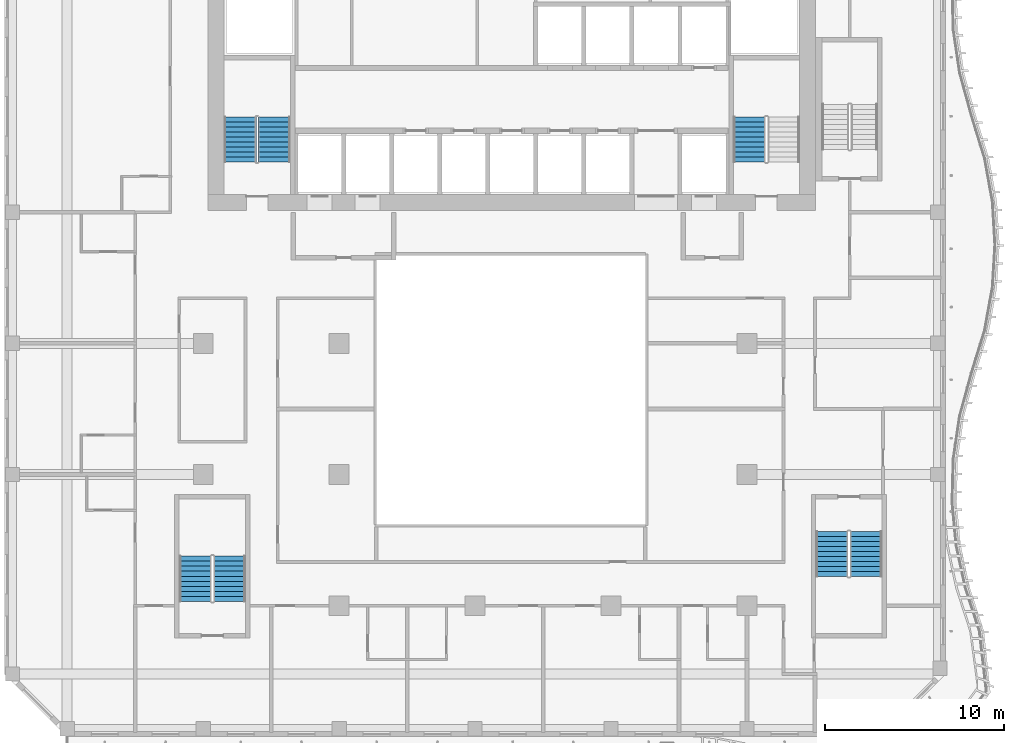
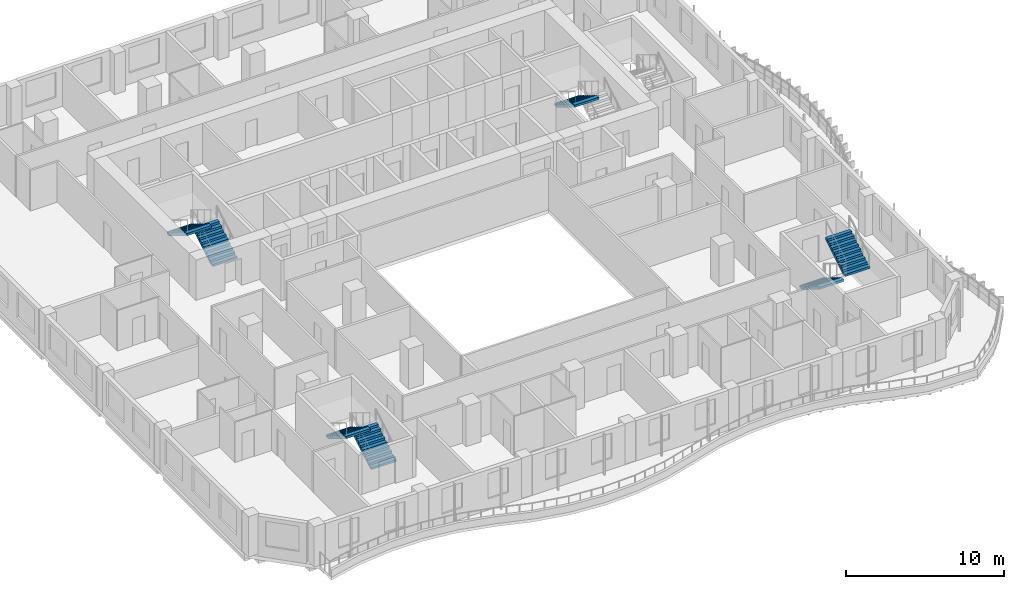
# One storey, part 11 of 22: 7 stair flights, 4 elements without a shape of their own.
"""IFC4 building model written with IfcOpenShell, lengths in metres."""

from ifc_helpers import new_model, si_unit, direction, frame, origin, place, context, subcontext, project, spatial, triangles, source, transform, mapped, material, type_object, element, aggregate, save


model = new_model("IFC4")

# Units and contexts
model_context = context("Model", 3, precision=1e-05, world=origin(), true_north=direction((0.0, 1.0)))
body_context = subcontext(model_context, "Body", "Model", "MODEL_VIEW")
ifc_project = project(units=[si_unit("LENGTHUNIT", "METRE"), si_unit("AREAUNIT", "SQUARE_METRE"), si_unit("VOLUMEUNIT", "CUBIC_METRE"), si_unit("PLANEANGLEUNIT", "RADIAN"), si_unit("MASSUNIT", "GRAM", prefix="KILO")], contexts=[model_context])

# Site, building, storey
site_placement = place(None, origin())
site = spatial("IfcSite", under=ifc_project, at=site_placement, CompositionType="ELEMENT")
building_placement = place(site_placement, origin())
building = spatial("IfcBuilding", under=site, at=building_placement, Name="Kilnfold Tower and Market Hall", CompositionType="ELEMENT")
storey_placement = place(building_placement, frame((0.0, 0.0, 154.10009765625)))
storey = spatial("IfcBuildingStorey", under=building, at=storey_placement, Name="L35", CompositionType="ELEMENT", Elevation=154.10009765625)

# Stair, stair flights
ifc_material_1 = material(Name="Concrete C40/50", Category="concrete")
stair_type = type_object("IfcStairType", Name="CORE STAIR 1800", PredefinedType="HALF_TURN_STAIR", material=ifc_material_1)
stair_1_placement = place(storey_placement, origin())
stair_1 = element("IfcStair", 1, at=stair_1_placement, inside=storey, type_object=stair_type, Name="L35 ST1", PredefinedType="HALF_TURN_STAIR")
ifc_material_2 = material(Name="Concrete C40/50", Category="concrete")
stair_flight_type = type_object("IfcStairFlightType", Name="CORE STAIR FLIGHT 1800", PredefinedType="STRAIGHT", material=ifc_material_2)
shared_shape = source(origin(), body_context, "Body", "Tessellation", [
    triangles([(0.0, 0.89990234375, 0.0), (0.0, 0.78759765625, 0.0), (0.0, 0.675048828125, 0.0), (0.0, 0.5625, 0.0), (0.0, 0.449951171875, 0.0), (0.0, 0.33740234375, 0.0), (0.0, 0.22509765625, 0.0), (0.0, 0.112548828125, 0.0), (0.0, 0.0, 0.0), (0.0, -0.112548828125, 0.0), (0.0, -0.22509765625, 0.0), (0.0, -0.33740234375, 0.0), (0.0, -0.449951171875, 0.0), (0.0, -0.5625, 0.0), (0.0, -0.675048828125, 0.0), (0.0, -0.78759765625, 0.0), (0.0, -0.89990234375, 0.0), (0.0, 0.89990234375, 0.169921875), (0.0, 0.78759765625, 0.169921875), (0.0, 0.675048828125, 0.169921875), (0.0, 0.5625, 0.169921875), (0.0, 0.449951171875, 0.169921875), (0.0, 0.33740234375, 0.169921875), (0.0, 0.22509765625, 0.169921875), (0.0, 0.112548828125, 0.169921875), (0.0, 0.0, 0.169921875), (0.0, -0.112548828125, 0.169921875), (0.0, -0.22509765625, 0.169921875), (0.0, -0.33740234375, 0.169921875), (0.0, -0.449951171875, 0.169921875), (0.0, -0.5625, 0.169921875), (0.0, -0.675048828125, 0.169921875), (0.0, -0.78759765625, 0.169921875), (0.0, -0.89990234375, 0.169921875), (0.280029296875, 0.89990234375, 0.169921875), (0.280029296875, 0.78759765625, 0.169921875), (0.280029296875, 0.675048828125, 0.169921875), (0.280029296875, 0.5625, 0.169921875), (0.280029296875, 0.449951171875, 0.169921875), (0.280029296875, 0.33740234375, 0.169921875), (0.280029296875, 0.22509765625, 0.169921875), (0.280029296875, 0.112548828125, 0.169921875), (0.280029296875, 0.0, 0.169921875), (0.280029296875, -0.112548828125, 0.169921875), (0.280029296875, -0.22509765625, 0.169921875), (0.280029296875, -0.33740234375, 0.169921875), (0.280029296875, -0.449951171875, 0.169921875), (0.280029296875, -0.5625, 0.169921875), (0.280029296875, -0.675048828125, 0.169921875), (0.280029296875, -0.78759765625, 0.169921875), (0.280029296875, -0.89990234375, 0.169921875), (0.280029296875, 0.89990234375, 0.340087890625), (0.280029296875, 0.78759765625, 0.340087890625), (0.280029296875, 0.675048828125, 0.340087890625), (0.280029296875, 0.5625, 0.340087890625), (0.280029296875, 0.449951171875, 0.340087890625), (0.280029296875, 0.33740234375, 0.340087890625), (0.280029296875, 0.22509765625, 0.340087890625), (0.280029296875, 0.112548828125, 0.340087890625), (0.280029296875, 0.0, 0.340087890625), (0.280029296875, -0.112548828125, 0.340087890625), (0.280029296875, -0.22509765625, 0.340087890625), (0.280029296875, -0.33740234375, 0.340087890625), (0.280029296875, -0.449951171875, 0.340087890625), (0.280029296875, -0.5625, 0.340087890625), (0.280029296875, -0.675048828125, 0.340087890625), (0.280029296875, -0.78759765625, 0.340087890625), (0.280029296875, -0.89990234375, 0.340087890625), (0.56005859375, 0.89990234375, 0.340087890625), (0.56005859375, 0.78759765625, 0.340087890625), (0.56005859375, 0.675048828125, 0.340087890625), (0.56005859375, 0.5625, 0.340087890625), (0.56005859375, 0.449951171875, 0.340087890625), (0.56005859375, 0.33740234375, 0.340087890625), (0.56005859375, 0.22509765625, 0.340087890625), (0.56005859375, 0.112548828125, 0.340087890625), (0.56005859375, 0.0, 0.340087890625), (0.56005859375, -0.112548828125, 0.340087890625), (0.56005859375, -0.22509765625, 0.340087890625), (0.56005859375, -0.33740234375, 0.340087890625), (0.56005859375, -0.449951171875, 0.340087890625), (0.56005859375, -0.5625, 0.340087890625), (0.56005859375, -0.675048828125, 0.340087890625), (0.56005859375, -0.78759765625, 0.340087890625), (0.56005859375, -0.89990234375, 0.340087890625), (0.56005859375, 0.89990234375, 0.510009765625), (0.56005859375, 0.78759765625, 0.510009765625), (0.56005859375, 0.675048828125, 0.510009765625), (0.56005859375, 0.5625, 0.510009765625), (0.56005859375, 0.449951171875, 0.510009765625), (0.56005859375, 0.33740234375, 0.510009765625), (0.56005859375, 0.22509765625, 0.510009765625), (0.56005859375, 0.112548828125, 0.510009765625), (0.56005859375, 0.0, 0.510009765625), (0.56005859375, -0.112548828125, 0.510009765625), (0.56005859375, -0.22509765625, 0.510009765625), (0.56005859375, -0.33740234375, 0.510009765625), (0.56005859375, -0.449951171875, 0.510009765625), (0.56005859375, -0.5625, 0.510009765625), (0.56005859375, -0.675048828125, 0.510009765625), (0.56005859375, -0.78759765625, 0.510009765625), (0.56005859375, -0.89990234375, 0.510009765625), (0.840087890625, 0.89990234375, 0.510009765625), (0.840087890625, 0.78759765625, 0.510009765625), (0.840087890625, 0.675048828125, 0.510009765625), (0.840087890625, 0.5625, 0.510009765625), (0.840087890625, 0.449951171875, 0.510009765625), (0.840087890625, 0.33740234375, 0.510009765625), (0.840087890625, 0.22509765625, 0.510009765625), (0.840087890625, 0.112548828125, 0.510009765625), (0.840087890625, 0.0, 0.510009765625), (0.840087890625, -0.112548828125, 0.510009765625), (0.840087890625, -0.22509765625, 0.510009765625), (0.840087890625, -0.33740234375, 0.510009765625), (0.840087890625, -0.449951171875, 0.510009765625), (0.840087890625, -0.5625, 0.510009765625), (0.840087890625, -0.675048828125, 0.510009765625), (0.840087890625, -0.78759765625, 0.510009765625), (0.840087890625, -0.89990234375, 0.510009765625), (0.840087890625, 0.89990234375, 0.679931640625), (0.840087890625, 0.78759765625, 0.679931640625), (0.840087890625, 0.675048828125, 0.679931640625), (0.840087890625, 0.5625, 0.679931640625), (0.840087890625, 0.449951171875, 0.679931640625), (0.840087890625, 0.33740234375, 0.679931640625), (0.840087890625, 0.22509765625, 0.679931640625), (0.840087890625, 0.112548828125, 0.679931640625), (0.840087890625, 0.0, 0.679931640625), (0.840087890625, -0.112548828125, 0.679931640625), (0.840087890625, -0.22509765625, 0.679931640625), (0.840087890625, -0.33740234375, 0.679931640625), (0.840087890625, -0.449951171875, 0.679931640625), (0.840087890625, -0.5625, 0.679931640625), (0.840087890625, -0.675048828125, 0.679931640625), (0.840087890625, -0.78759765625, 0.679931640625), (0.840087890625, -0.89990234375, 0.679931640625), (1.1201171875, 0.89990234375, 0.679931640625), (1.1201171875, 0.78759765625, 0.679931640625), (1.1201171875, 0.675048828125, 0.679931640625), (1.1201171875, 0.5625, 0.679931640625), (1.1201171875, 0.449951171875, 0.679931640625), (1.1201171875, 0.33740234375, 0.679931640625), (1.1201171875, 0.22509765625, 0.679931640625), (1.1201171875, 0.112548828125, 0.679931640625), (1.1201171875, 0.0, 0.679931640625), (1.1201171875, -0.112548828125, 0.679931640625), (1.1201171875, -0.22509765625, 0.679931640625), (1.1201171875, -0.33740234375, 0.679931640625), (1.1201171875, -0.449951171875, 0.679931640625), (1.1201171875, -0.5625, 0.679931640625), (1.1201171875, -0.675048828125, 0.679931640625), (1.1201171875, -0.78759765625, 0.679931640625), (1.1201171875, -0.89990234375, 0.679931640625), (1.1201171875, 0.89990234375, 0.85009765625), (1.1201171875, 0.78759765625, 0.85009765625), (1.1201171875, 0.675048828125, 0.85009765625), (1.1201171875, 0.5625, 0.85009765625), (1.1201171875, 0.449951171875, 0.85009765625), (1.1201171875, 0.33740234375, 0.85009765625), (1.1201171875, 0.22509765625, 0.85009765625), (1.1201171875, 0.112548828125, 0.85009765625), (1.1201171875, 0.0, 0.85009765625), (1.1201171875, -0.112548828125, 0.85009765625), (1.1201171875, -0.22509765625, 0.85009765625), (1.1201171875, -0.33740234375, 0.85009765625), (1.1201171875, -0.449951171875, 0.85009765625), (1.1201171875, -0.5625, 0.85009765625), (1.1201171875, -0.675048828125, 0.85009765625), (1.1201171875, -0.78759765625, 0.85009765625), (1.1201171875, -0.89990234375, 0.85009765625), (1.39990234375, 0.89990234375, 0.85009765625), (1.39990234375, 0.78759765625, 0.85009765625), (1.39990234375, 0.675048828125, 0.85009765625), (1.39990234375, 0.5625, 0.85009765625), (1.39990234375, 0.449951171875, 0.85009765625), (1.39990234375, 0.33740234375, 0.85009765625), (1.39990234375, 0.22509765625, 0.85009765625), (1.39990234375, 0.112548828125, 0.85009765625), (1.39990234375, 0.0, 0.85009765625), (1.39990234375, -0.112548828125, 0.85009765625), (1.39990234375, -0.22509765625, 0.85009765625), (1.39990234375, -0.33740234375, 0.85009765625), (1.39990234375, -0.449951171875, 0.85009765625), (1.39990234375, -0.5625, 0.85009765625), (1.39990234375, -0.675048828125, 0.85009765625), (1.39990234375, -0.78759765625, 0.85009765625), (1.39990234375, -0.89990234375, 0.85009765625), (1.39990234375, 0.89990234375, 1.02001953125), (1.39990234375, 0.78759765625, 1.02001953125), (1.39990234375, 0.675048828125, 1.02001953125), (1.39990234375, 0.5625, 1.02001953125), (1.39990234375, 0.449951171875, 1.02001953125), (1.39990234375, 0.33740234375, 1.02001953125), (1.39990234375, 0.22509765625, 1.02001953125), (1.39990234375, 0.112548828125, 1.02001953125), (1.39990234375, 0.0, 1.02001953125), (1.39990234375, -0.112548828125, 1.02001953125), (1.39990234375, -0.22509765625, 1.02001953125), (1.39990234375, -0.33740234375, 1.02001953125), (1.39990234375, -0.449951171875, 1.02001953125), (1.39990234375, -0.5625, 1.02001953125), (1.39990234375, -0.675048828125, 1.02001953125), (1.39990234375, -0.78759765625, 1.02001953125), (1.39990234375, -0.89990234375, 1.02001953125), (1.679931640625, 0.89990234375, 1.02001953125), (1.679931640625, 0.78759765625, 1.02001953125), (1.679931640625, 0.675048828125, 1.02001953125), (1.679931640625, 0.5625, 1.02001953125), (1.679931640625, 0.449951171875, 1.02001953125), (1.679931640625, 0.33740234375, 1.02001953125), (1.679931640625, 0.22509765625, 1.02001953125), (1.679931640625, 0.112548828125, 1.02001953125), (1.679931640625, 0.0, 1.02001953125), (1.679931640625, -0.112548828125, 1.02001953125), (1.679931640625, -0.22509765625, 1.02001953125), (1.679931640625, -0.33740234375, 1.02001953125), (1.679931640625, -0.449951171875, 1.02001953125), (1.679931640625, -0.5625, 1.02001953125), (1.679931640625, -0.675048828125, 1.02001953125), (1.679931640625, -0.78759765625, 1.02001953125), (1.679931640625, -0.89990234375, 1.02001953125), (1.679931640625, 0.89990234375, 1.18994140625), (1.679931640625, 0.78759765625, 1.18994140625), (1.679931640625, 0.675048828125, 1.18994140625), (1.679931640625, 0.5625, 1.18994140625), (1.679931640625, 0.449951171875, 1.18994140625), (1.679931640625, 0.33740234375, 1.18994140625), (1.679931640625, 0.22509765625, 1.18994140625), (1.679931640625, 0.112548828125, 1.18994140625), (1.679931640625, 0.0, 1.18994140625), (1.679931640625, -0.112548828125, 1.18994140625), (1.679931640625, -0.22509765625, 1.18994140625), (1.679931640625, -0.33740234375, 1.18994140625), (1.679931640625, -0.449951171875, 1.18994140625), (1.679931640625, -0.5625, 1.18994140625), (1.679931640625, -0.675048828125, 1.18994140625), (1.679931640625, -0.78759765625, 1.18994140625), (1.679931640625, -0.89990234375, 1.18994140625), (1.9599609375, 0.89990234375, 1.18994140625), (1.9599609375, 0.78759765625, 1.18994140625), (1.9599609375, 0.675048828125, 1.18994140625), (1.9599609375, 0.5625, 1.18994140625), (1.9599609375, 0.449951171875, 1.18994140625), (1.9599609375, 0.33740234375, 1.18994140625), (1.9599609375, 0.22509765625, 1.18994140625), (1.9599609375, 0.112548828125, 1.18994140625), (1.9599609375, 0.0, 1.18994140625), (1.9599609375, -0.112548828125, 1.18994140625), (1.9599609375, -0.22509765625, 1.18994140625), (1.9599609375, -0.33740234375, 1.18994140625), (1.9599609375, -0.449951171875, 1.18994140625), (1.9599609375, -0.5625, 1.18994140625), (1.9599609375, -0.675048828125, 1.18994140625), (1.9599609375, -0.78759765625, 1.18994140625), (1.9599609375, -0.89990234375, 1.18994140625), (1.9599609375, 0.89990234375, 1.360107421875), (1.9599609375, 0.78759765625, 1.360107421875), (1.9599609375, 0.675048828125, 1.360107421875), (1.9599609375, 0.5625, 1.360107421875), (1.9599609375, 0.449951171875, 1.360107421875), (1.9599609375, 0.33740234375, 1.360107421875), (1.9599609375, 0.22509765625, 1.360107421875), (1.9599609375, 0.112548828125, 1.360107421875), (1.9599609375, 0.0, 1.360107421875), (1.9599609375, -0.112548828125, 1.360107421875), (1.9599609375, -0.22509765625, 1.360107421875), (1.9599609375, -0.33740234375, 1.360107421875), (1.9599609375, -0.449951171875, 1.360107421875), (1.9599609375, -0.5625, 1.360107421875), (1.9599609375, -0.675048828125, 1.360107421875), (1.9599609375, -0.78759765625, 1.360107421875), (1.9599609375, -0.89990234375, 1.360107421875), (2.239990234375, 0.89990234375, 1.360107421875), (2.239990234375, 0.78759765625, 1.360107421875), (2.239990234375, 0.675048828125, 1.360107421875), (2.239990234375, 0.5625, 1.360107421875), (2.239990234375, 0.449951171875, 1.360107421875), (2.239990234375, 0.33740234375, 1.360107421875), (2.239990234375, 0.22509765625, 1.360107421875), (2.239990234375, 0.112548828125, 1.360107421875), (2.239990234375, 0.0, 1.360107421875), (2.239990234375, -0.112548828125, 1.360107421875), (2.239990234375, -0.22509765625, 1.360107421875), (2.239990234375, -0.33740234375, 1.360107421875), (2.239990234375, -0.449951171875, 1.360107421875), (2.239990234375, -0.5625, 1.360107421875), (2.239990234375, -0.675048828125, 1.360107421875), (2.239990234375, -0.78759765625, 1.360107421875), (2.239990234375, -0.89990234375, 1.360107421875), (2.239990234375, 0.89990234375, 1.530029296875), (2.239990234375, 0.78759765625, 1.530029296875), (2.239990234375, 0.675048828125, 1.530029296875), (2.239990234375, 0.5625, 1.530029296875), (2.239990234375, 0.449951171875, 1.530029296875), (2.239990234375, 0.33740234375, 1.530029296875), (2.239990234375, 0.22509765625, 1.530029296875), (2.239990234375, 0.112548828125, 1.530029296875), (2.239990234375, 0.0, 1.530029296875), (2.239990234375, -0.112548828125, 1.530029296875), (2.239990234375, -0.22509765625, 1.530029296875), (2.239990234375, -0.33740234375, 1.530029296875), (2.239990234375, -0.449951171875, 1.530029296875), (2.239990234375, -0.5625, 1.530029296875), (2.239990234375, -0.675048828125, 1.530029296875), (2.239990234375, -0.78759765625, 1.530029296875), (2.239990234375, -0.89990234375, 1.530029296875), (2.52001953125, 0.89990234375, 1.530029296875), (2.52001953125, 0.78759765625, 1.530029296875), (2.52001953125, 0.675048828125, 1.530029296875), (2.52001953125, 0.5625, 1.530029296875), (2.52001953125, 0.449951171875, 1.530029296875), (2.52001953125, 0.33740234375, 1.530029296875), (2.52001953125, 0.22509765625, 1.530029296875), (2.52001953125, 0.112548828125, 1.530029296875), (2.52001953125, 0.0, 1.530029296875), (2.52001953125, -0.112548828125, 1.530029296875), (2.52001953125, -0.22509765625, 1.530029296875), (2.52001953125, -0.33740234375, 1.530029296875), (2.52001953125, -0.449951171875, 1.530029296875), (2.52001953125, -0.5625, 1.530029296875), (2.52001953125, -0.675048828125, 1.530029296875), (2.52001953125, -0.78759765625, 1.530029296875), (2.52001953125, -0.89990234375, 1.530029296875), (2.52001953125, 0.89990234375, 1.354736328125), (2.52001953125, 0.78759765625, 1.354736328125), (2.52001953125, 0.675048828125, 1.354736328125), (2.52001953125, 0.5625, 1.354736328125), (2.52001953125, 0.449951171875, 1.354736328125), (2.52001953125, 0.33740234375, 1.354736328125), (2.52001953125, 0.22509765625, 1.354736328125), (2.52001953125, 0.112548828125, 1.354736328125), (2.52001953125, 0.0, 1.354736328125), (2.52001953125, -0.112548828125, 1.354736328125), (2.52001953125, -0.22509765625, 1.354736328125), (2.52001953125, -0.33740234375, 1.354736328125), (2.52001953125, -0.449951171875, 1.354736328125), (2.52001953125, -0.5625, 1.354736328125), (2.52001953125, -0.675048828125, 1.354736328125), (2.52001953125, -0.78759765625, 1.354736328125), (2.52001953125, -0.89990234375, 1.354736328125), (0.288818359375, 0.89990234375, 0.0), (0.288818359375, 0.78759765625, 0.0), (0.288818359375, 0.675048828125, 0.0), (0.288818359375, 0.5625, 0.0), (0.288818359375, 0.449951171875, 0.0), (0.288818359375, 0.33740234375, 0.0), (0.288818359375, 0.22509765625, 0.0), (0.288818359375, 0.112548828125, 0.0), (0.288818359375, 0.0, 0.0), (0.288818359375, -0.112548828125, 0.0), (0.288818359375, -0.22509765625, 0.0), (0.288818359375, -0.33740234375, 0.0), (0.288818359375, -0.449951171875, 0.0), (0.288818359375, -0.5625, 0.0), (0.288818359375, -0.675048828125, 0.0), (0.288818359375, -0.78759765625, 0.0), (0.288818359375, -0.89990234375, 0.0)], [[1, 324, 341], [17, 357, 340], [324, 290, 307], [340, 323, 306], [324, 273, 290], [340, 306, 289], [324, 256, 273], [340, 289, 272], [324, 239, 256], [340, 272, 255], [239, 205, 222], [255, 238, 221], [324, 205, 239], [340, 255, 221], [205, 171, 188], [221, 204, 187], [324, 171, 205], [340, 221, 187], [171, 137, 154], [187, 170, 153], [324, 137, 171], [340, 187, 153], [137, 103, 120], [153, 136, 119], [324, 103, 137], [340, 153, 119], [103, 69, 86], [119, 102, 85], [324, 69, 103], [340, 119, 85], [69, 35, 52], [85, 68, 51], [324, 35, 69], [340, 85, 51], [1, 35, 324], [17, 340, 51], [35, 1, 18], [51, 34, 17], [1, 19, 18], [1, 2, 19], [2, 20, 19], [2, 3, 20], [3, 21, 20], [3, 4, 21], [4, 22, 21], [4, 5, 22], [5, 23, 22], [5, 6, 23], [6, 24, 23], [6, 7, 24], [7, 25, 24], [7, 8, 25], [8, 26, 25], [8, 9, 26], [9, 27, 26], [9, 10, 27], [10, 28, 27], [10, 11, 28], [11, 29, 28], [11, 12, 29], [12, 30, 29], [12, 13, 30], [13, 31, 30], [13, 14, 31], [14, 32, 31], [14, 15, 32], [15, 33, 32], [15, 16, 33], [16, 34, 33], [16, 17, 34], [18, 36, 35], [18, 19, 36], [19, 37, 36], [19, 20, 37], [20, 38, 37], [20, 21, 38], [21, 39, 38], [21, 22, 39], [22, 40, 39], [22, 23, 40], [23, 41, 40], [23, 24, 41], [24, 42, 41], [24, 25, 42], [25, 43, 42], [25, 26, 43], [26, 44, 43], [26, 27, 44], [27, 45, 44], [27, 28, 45], [28, 46, 45], [28, 29, 46], [29, 47, 46], [29, 30, 47], [30, 48, 47], [30, 31, 48], [31, 49, 48], [31, 32, 49], [32, 50, 49], [32, 33, 50], [33, 51, 50], [33, 34, 51], [35, 53, 52], [35, 36, 53], [36, 54, 53], [36, 37, 54], [37, 55, 54], [37, 38, 55], [38, 56, 55], [38, 39, 56], [39, 57, 56], [39, 40, 57], [40, 58, 57], [40, 41, 58], [41, 59, 58], [41, 42, 59], [42, 60, 59], [42, 43, 60], [43, 61, 60], [43, 44, 61], [44, 62, 61], [44, 45, 62], [45, 63, 62], [45, 46, 63], [46, 64, 63], [46, 47, 64], [47, 65, 64], [47, 48, 65], [48, 66, 65], [48, 49, 66], [49, 67, 66], [49, 50, 67], [50, 68, 67], [50, 51, 68], [52, 70, 69], [52, 53, 70], [53, 71, 70], [53, 54, 71], [54, 72, 71], [54, 55, 72], [55, 73, 72], [55, 56, 73], [56, 74, 73], [56, 57, 74], [57, 75, 74], [57, 58, 75], [58, 76, 75], [58, 59, 76], [59, 77, 76], [59, 60, 77], [60, 78, 77], [60, 61, 78], [61, 79, 78], [61, 62, 79], [62, 80, 79], [62, 63, 80], [63, 81, 80], [63, 64, 81], [64, 82, 81], [64, 65, 82], [65, 83, 82], [65, 66, 83], [66, 84, 83], [66, 67, 84], [67, 85, 84], [67, 68, 85], [69, 87, 86], [69, 70, 87], [70, 88, 87], [70, 71, 88], [71, 89, 88], [71, 72, 89], [72, 90, 89], [72, 73, 90], [73, 91, 90], [73, 74, 91], [74, 92, 91], [74, 75, 92], [75, 93, 92], [75, 76, 93], [76, 94, 93], [76, 77, 94], [77, 95, 94], [77, 78, 95], [78, 96, 95], [78, 79, 96], [79, 97, 96], [79, 80, 97], [80, 98, 97], [80, 81, 98], [81, 99, 98], [81, 82, 99], [82, 100, 99], [82, 83, 100], [83, 101, 100], [83, 84, 101], [84, 102, 101], [84, 85, 102], [86, 104, 103], [86, 87, 104], [87, 105, 104], [87, 88, 105], [88, 106, 105], [88, 89, 106], [89, 107, 106], [89, 90, 107], [90, 108, 107], [90, 91, 108], [91, 109, 108], [91, 92, 109], [92, 110, 109], [92, 93, 110], [93, 111, 110], [93, 94, 111], [94, 112, 111], [94, 95, 112], [95, 113, 112], [95, 96, 113], [96, 114, 113], [96, 97, 114], [97, 115, 114], [97, 98, 115], [98, 116, 115], [98, 99, 116], [99, 117, 116], [99, 100, 117], [100, 118, 117], [100, 101, 118], [101, 119, 118], [101, 102, 119], [103, 121, 120], [103, 104, 121], [104, 122, 121], [104, 105, 122], [105, 123, 122], [105, 106, 123], [106, 124, 123], [106, 107, 124], [107, 125, 124], [107, 108, 125], [108, 126, 125], [108, 109, 126], [109, 127, 126], [109, 110, 127], [110, 128, 127], [110, 111, 128], [111, 129, 128], [111, 112, 129], [112, 130, 129], [112, 113, 130], [113, 131, 130], [113, 114, 131], [114, 132, 131], [114, 115, 132], [115, 133, 132], [115, 116, 133], [116, 134, 133], [116, 117, 134], [117, 135, 134], [117, 118, 135], [118, 136, 135], [118, 119, 136], [120, 138, 137], [120, 121, 138], [121, 139, 138], [121, 122, 139], [122, 140, 139], [122, 123, 140], [123, 141, 140], [123, 124, 141], [124, 142, 141], [124, 125, 142], [125, 143, 142], [125, 126, 143], [126, 144, 143], [126, 127, 144], [127, 145, 144], [127, 128, 145], [128, 146, 145], [128, 129, 146], [129, 147, 146], [129, 130, 147], [130, 148, 147], [130, 131, 148], [131, 149, 148], [131, 132, 149], [132, 150, 149], [132, 133, 150], [133, 151, 150], [133, 134, 151], [134, 152, 151], [134, 135, 152], [135, 153, 152], [135, 136, 153], [137, 155, 154], [137, 138, 155], [138, 156, 155], [138, 139, 156], [139, 157, 156], [139, 140, 157], [140, 158, 157], [140, 141, 158], [141, 159, 158], [141, 142, 159], [142, 160, 159], [142, 143, 160], [143, 161, 160], [143, 144, 161], [144, 162, 161], [144, 145, 162], [145, 163, 162], [145, 146, 163], [146, 164, 163], [146, 147, 164], [147, 165, 164], [147, 148, 165], [148, 166, 165], [148, 149, 166], [149, 167, 166], [149, 150, 167], [150, 168, 167], [150, 151, 168], [151, 169, 168], [151, 152, 169], [152, 170, 169], [152, 153, 170], [154, 172, 171], [154, 155, 172], [155, 173, 172], [155, 156, 173], [156, 174, 173], [156, 157, 174], [157, 175, 174], [157, 158, 175], [158, 176, 175], [158, 159, 176], [159, 177, 176], [159, 160, 177], [160, 178, 177], [160, 161, 178], [161, 179, 178], [161, 162, 179], [162, 180, 179], [162, 163, 180], [163, 181, 180], [163, 164, 181], [164, 182, 181], [164, 165, 182], [165, 183, 182], [165, 166, 183], [166, 184, 183], [166, 167, 184], [167, 185, 184], [167, 168, 185], [168, 186, 185], [168, 169, 186], [169, 187, 186], [169, 170, 187], [171, 189, 188], [171, 172, 189], [172, 190, 189], [172, 173, 190], [173, 191, 190], [173, 174, 191], [174, 192, 191], [174, 175, 192], [175, 193, 192], [175, 176, 193], [176, 194, 193], [176, 177, 194], [177, 195, 194], [177, 178, 195], [178, 196, 195], [178, 179, 196], [179, 197, 196], [179, 180, 197], [180, 198, 197], [180, 181, 198], [181, 199, 198], [181, 182, 199], [182, 200, 199], [182, 183, 200], [183, 201, 200], [183, 184, 201], [184, 202, 201], [184, 185, 202], [185, 203, 202], [185, 186, 203], [186, 204, 203], [186, 187, 204], [188, 206, 205], [188, 189, 206], [189, 207, 206], [189, 190, 207], [190, 208, 207], [190, 191, 208], [191, 209, 208], [191, 192, 209], [192, 210, 209], [192, 193, 210], [193, 211, 210], [193, 194, 211], [194, 212, 211], [194, 195, 212], [195, 213, 212], [195, 196, 213], [196, 214, 213], [196, 197, 214], [197, 215, 214], [197, 198, 215], [198, 216, 215], [198, 199, 216], [199, 217, 216], [199, 200, 217], [200, 218, 217], [200, 201, 218], [201, 219, 218], [201, 202, 219], [202, 220, 219], [202, 203, 220], [203, 221, 220], [203, 204, 221], [205, 223, 222], [205, 206, 223], [206, 224, 223], [206, 207, 224], [207, 225, 224], [207, 208, 225], [208, 226, 225], [208, 209, 226], [209, 227, 226], [209, 210, 227], [210, 228, 227], [210, 211, 228], [211, 229, 228], [211, 212, 229], [212, 230, 229], [212, 213, 230], [213, 231, 230], [213, 214, 231], [214, 232, 231], [214, 215, 232], [215, 233, 232], [215, 216, 233], [216, 234, 233], [216, 217, 234], [217, 235, 234], [217, 218, 235], [218, 236, 235], [218, 219, 236], [219, 237, 236], [219, 220, 237], [220, 238, 237], [220, 221, 238], [222, 240, 239], [222, 223, 240], [223, 241, 240], [223, 224, 241], [224, 242, 241], [224, 225, 242], [225, 243, 242], [225, 226, 243], [226, 244, 243], [226, 227, 244], [227, 245, 244], [227, 228, 245], [228, 246, 245], [228, 229, 246], [229, 247, 246], [229, 230, 247], [230, 248, 247], [230, 231, 248], [231, 249, 248], [231, 232, 249], [232, 250, 249], [232, 233, 250], [233, 251, 250], [233, 234, 251], [234, 252, 251], [234, 235, 252], [235, 253, 252], [235, 236, 253], [236, 254, 253], [236, 237, 254], [237, 255, 254], [237, 238, 255], [239, 257, 256], [239, 240, 257], [240, 258, 257], [240, 241, 258], [241, 259, 258], [241, 242, 259], [242, 260, 259], [242, 243, 260], [243, 261, 260], [243, 244, 261], [244, 262, 261], [244, 245, 262], [245, 263, 262], [245, 246, 263], [246, 264, 263], [246, 247, 264], [247, 265, 264], [247, 248, 265], [248, 266, 265], [248, 249, 266], [249, 267, 266], [249, 250, 267], [250, 268, 267], [250, 251, 268], [251, 269, 268], [251, 252, 269], [252, 270, 269], [252, 253, 270], [253, 271, 270], [253, 254, 271], [254, 272, 271], [254, 255, 272], [256, 274, 273], [256, 257, 274], [257, 275, 274], [257, 258, 275], [258, 276, 275], [258, 259, 276], [259, 277, 276], [259, 260, 277], [260, 278, 277], [260, 261, 278], [261, 279, 278], [261, 262, 279], [262, 280, 279], [262, 263, 280], [263, 281, 280], [263, 264, 281], [264, 282, 281], [264, 265, 282], [265, 283, 282], [265, 266, 283], [266, 284, 283], [266, 267, 284], [267, 285, 284], [267, 268, 285], [268, 286, 285], [268, 269, 286], [269, 287, 286], [269, 270, 287], [270, 288, 287], [270, 271, 288], [271, 289, 288], [271, 272, 289], [273, 291, 290], [273, 274, 291], [274, 292, 291], [274, 275, 292], [275, 293, 292], [275, 276, 293], [276, 294, 293], [276, 277, 294], [277, 295, 294], [277, 278, 295], [278, 296, 295], [278, 279, 296], [279, 297, 296], [279, 280, 297], [280, 298, 297], [280, 281, 298], [281, 299, 298], [281, 282, 299], [282, 300, 299], [282, 283, 300], [283, 301, 300], [283, 284, 301], [284, 302, 301], [284, 285, 302], [285, 303, 302], [285, 286, 303], [286, 304, 303], [286, 287, 304], [287, 305, 304], [287, 288, 305], [288, 306, 305], [288, 289, 306], [290, 308, 307], [290, 291, 308], [291, 309, 308], [291, 292, 309], [292, 310, 309], [292, 293, 310], [293, 311, 310], [293, 294, 311], [294, 312, 311], [294, 295, 312], [295, 313, 312], [295, 296, 313], [296, 314, 313], [296, 297, 314], [297, 315, 314], [297, 298, 315], [298, 316, 315], [298, 299, 316], [299, 317, 316], [299, 300, 317], [300, 318, 317], [300, 301, 318], [301, 319, 318], [301, 302, 319], [302, 320, 319], [302, 303, 320], [303, 321, 320], [303, 304, 321], [304, 322, 321], [304, 305, 322], [305, 323, 322], [305, 306, 323], [307, 325, 324], [307, 308, 325], [308, 326, 325], [308, 309, 326], [309, 327, 326], [309, 310, 327], [310, 328, 327], [310, 311, 328], [311, 329, 328], [311, 312, 329], [312, 330, 329], [312, 313, 330], [313, 331, 330], [313, 314, 331], [314, 332, 331], [314, 315, 332], [315, 333, 332], [315, 316, 333], [316, 334, 333], [316, 317, 334], [317, 335, 334], [317, 318, 335], [318, 336, 335], [318, 319, 336], [319, 337, 336], [319, 320, 337], [320, 338, 337], [320, 321, 338], [321, 339, 338], [321, 322, 339], [322, 340, 339], [322, 323, 340], [324, 342, 341], [324, 325, 342], [325, 343, 342], [325, 326, 343], [326, 344, 343], [326, 327, 344], [327, 345, 344], [327, 328, 345], [328, 346, 345], [328, 329, 346], [329, 347, 346], [329, 330, 347], [330, 348, 347], [330, 331, 348], [331, 349, 348], [331, 332, 349], [332, 350, 349], [332, 333, 350], [333, 351, 350], [333, 334, 351], [334, 352, 351], [334, 335, 352], [335, 353, 352], [335, 336, 353], [336, 354, 353], [336, 337, 354], [337, 355, 354], [337, 338, 355], [338, 356, 355], [338, 339, 356], [339, 357, 356], [339, 340, 357], [341, 2, 1], [341, 342, 2], [342, 3, 2], [342, 343, 3], [343, 4, 3], [343, 344, 4], [344, 5, 4], [344, 345, 5], [345, 6, 5], [345, 346, 6], [346, 7, 6], [346, 347, 7], [347, 8, 7], [347, 348, 8], [348, 9, 8], [348, 349, 9], [349, 10, 9], [349, 350, 10], [350, 11, 10], [350, 351, 11], [351, 12, 11], [351, 352, 12], [352, 13, 12], [352, 353, 13], [353, 14, 13], [353, 354, 14], [354, 15, 14], [354, 355, 15], [355, 16, 15], [355, 356, 16], [356, 17, 16], [356, 357, 17]], closed=True),
])
stair_flight_1_placement = place(storey_placement, frame((-12.199951171875, 10.800048828125, 0.0), z_axis=(0.0, 0.0, 1.0), x_axis=(0.0, 1.0, 0.0)))
stair_flight_1 = element("IfcStairFlight", 2, at=stair_flight_1_placement, type_object=stair_flight_type, Name="ST1 flight 1", NumberOfRisers=10, NumberOfTreads=9, PredefinedType="STRAIGHT", RiserHeight=0.17, TreadLength=0.28, context=body_context, shape_type="MappedRepresentation", body=[
    mapped(shared_shape, transform((0.0, 0.0, 0.0))),
])
stair_flight_2_placement = place(storey_placement, frame((-14.10009765625, 13.320068359375, 1.699951171875), z_axis=(0.0, 0.0, 1.0), x_axis=(0.0, -1.0, 0.0)))
stair_flight_2 = element("IfcStairFlight", 3, at=stair_flight_2_placement, type_object=stair_flight_type, Name="ST1 flight 2", NumberOfRisers=10, NumberOfTreads=9, PredefinedType="STRAIGHT", RiserHeight=0.17, TreadLength=0.28, context=body_context, shape_type="MappedRepresentation", body=[
    mapped(shared_shape, transform((0.0, 0.0, 0.0))),
])
aggregate(stair_1, [stair_flight_1, stair_flight_2])

# Stair, stair flight
stair_2_placement = place(storey_placement, origin())
stair_2 = element("IfcStair", 4, at=stair_2_placement, inside=storey, type_object=stair_type, Name="L35 ST2", PredefinedType="HALF_TURN_STAIR")
stair_flight_3_placement = place(storey_placement, frame((14.300048828125, 13.320068359375, 1.699951171875), z_axis=(0.0, 0.0, 1.0), x_axis=(0.0, -1.0, 0.0)))
stair_flight_3 = element("IfcStairFlight", 5, at=stair_flight_3_placement, type_object=stair_flight_type, Name="ST2 flight 2", NumberOfRisers=10, NumberOfTreads=9, PredefinedType="STRAIGHT", RiserHeight=0.17, TreadLength=0.28, context=body_context, shape_type="MappedRepresentation", body=[
    mapped(shared_shape, transform((0.0, 0.0, 0.0))),
])
aggregate(stair_2, [stair_flight_3])

# Stair, stair flights
stair_3_placement = place(storey_placement, origin())
stair_3 = element("IfcStair", 6, at=stair_3_placement, inside=storey, type_object=stair_type, Name="L35 ST3", PredefinedType="HALF_TURN_STAIR")
stair_flight_4_placement = place(storey_placement, frame((-14.699951171875, -13.699951171875, 0.0), z_axis=(0.0, 0.0, 1.0), x_axis=(0.0, 1.0, 0.0)))
stair_flight_4 = element("IfcStairFlight", 7, at=stair_flight_4_placement, type_object=stair_flight_type, Name="ST3 flight 1", NumberOfRisers=10, NumberOfTreads=9, PredefinedType="STRAIGHT", RiserHeight=0.17, TreadLength=0.28, context=body_context, shape_type="MappedRepresentation", body=[
    mapped(shared_shape, transform((0.0, 0.0, 0.0))),
])
stair_flight_5_placement = place(storey_placement, frame((-16.60009765625, -11.179931640625, 1.699951171875), z_axis=(0.0, 0.0, 1.0), x_axis=(0.0, -1.0, 0.0)))
stair_flight_5 = element("IfcStairFlight", 8, at=stair_flight_5_placement, type_object=stair_flight_type, Name="ST3 flight 2", NumberOfRisers=10, NumberOfTreads=9, PredefinedType="STRAIGHT", RiserHeight=0.17, TreadLength=0.28, context=body_context, shape_type="MappedRepresentation", body=[
    mapped(shared_shape, transform((0.0, 0.0, 0.0))),
])
aggregate(stair_3, [stair_flight_4, stair_flight_5])

stair_4_placement = place(storey_placement, origin())
stair_4 = element("IfcStair", 9, at=stair_4_placement, inside=storey, type_object=stair_type, Name="L35 ST4", PredefinedType="HALF_TURN_STAIR")
stair_flight_6_placement = place(storey_placement, frame((18.89990234375, -9.800048828125, 0.0), z_axis=(0.0, 0.0, 1.0), x_axis=(0.0, -1.0, 0.0)))
stair_flight_6 = element("IfcStairFlight", 10, at=stair_flight_6_placement, type_object=stair_flight_type, Name="ST4 flight 1", NumberOfRisers=10, NumberOfTreads=9, PredefinedType="STRAIGHT", RiserHeight=0.17, TreadLength=0.28, context=body_context, shape_type="MappedRepresentation", body=[
    mapped(shared_shape, transform((0.0, 0.0, 0.0))),
])
stair_flight_7_placement = place(storey_placement, frame((20.800048828125, -12.320068359375, 1.699951171875), z_axis=(0.0, 0.0, 1.0), x_axis=(0.0, 1.0, 0.0)))
stair_flight_7 = element("IfcStairFlight", 11, at=stair_flight_7_placement, type_object=stair_flight_type, Name="ST4 flight 2", NumberOfRisers=10, NumberOfTreads=9, PredefinedType="STRAIGHT", RiserHeight=0.17, TreadLength=0.28, context=body_context, shape_type="MappedRepresentation", body=[
    mapped(shared_shape, transform((0.0, 0.0, 0.0))),
])
aggregate(stair_4, [stair_flight_6, stair_flight_7])

save(model, "model.ifc")
